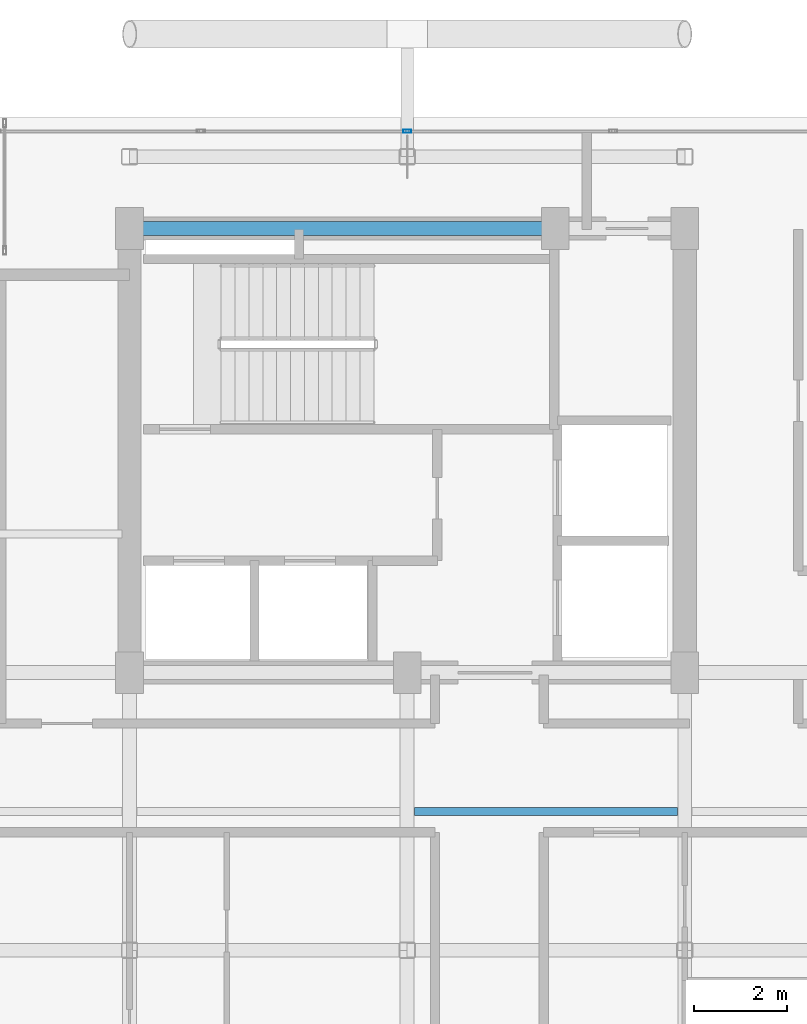
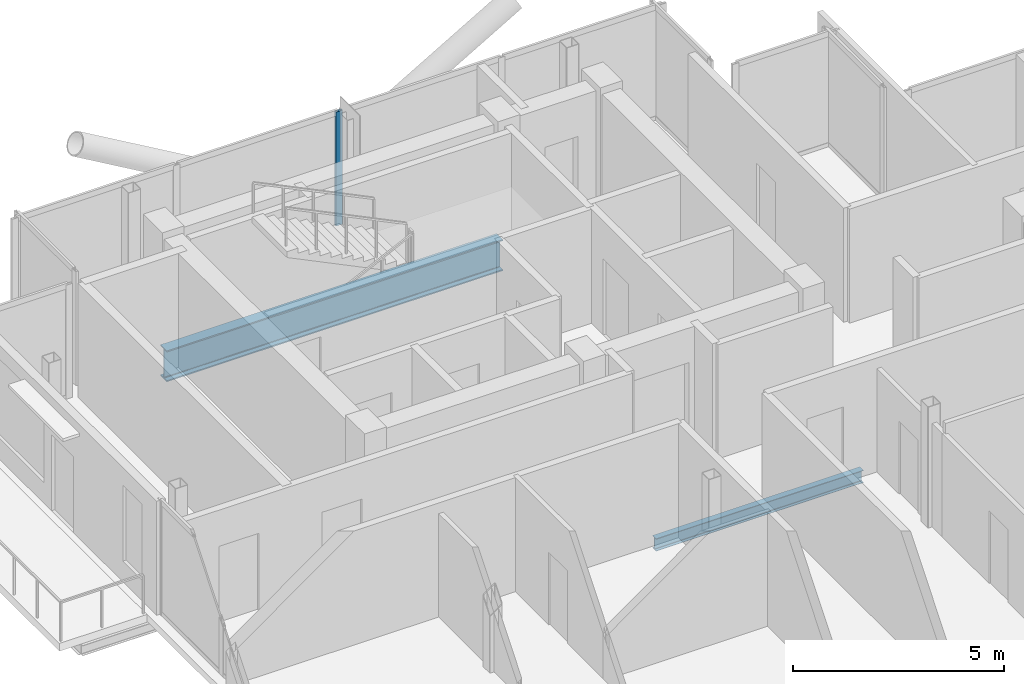
# One storey, part 8 of 18: 2 beams, 1 member, 1 element without a shape of its own.
"""IFC4 building model written with IfcOpenShell, lengths in metres."""

import ifcopenshell
import ifcopenshell.guid

model = None  # the IFC model being written
_history = None  # IfcOwnerHistory: only IFC2X3 demands one
_inside = {}  # id of a spatial element -> (the spatial element, [elements in it])
_under = {}  # id of a project, library or spatial element -> (it, [spatial elements below it])
_declared = {}  # id of a project -> (the project, [libraries it declares])
_typed = {}  # id of a type object -> (the type object, [elements of that type])
_made_of = {}  # id of a material, layer set ... -> (it, [elements and type objects made of it])


def new_model(schema):
    """Start an empty IFC model of exactly this schema.

    Asked for "IFC4X3", IfcOpenShell would pick the latest addendum, in which some entities
    have other attributes; the version numbers below select the first issue.
    IFC2X3 requires an IfcOwnerHistory on every rooted entity: one is made here for all.
    """
    global model, _history
    if schema == "IFC4X3":
        model = ifcopenshell.file(schema_version=(4, 3, 0, 0))
    else:
        model = ifcopenshell.file(schema=schema)
    _inside.clear()
    _under.clear()
    _declared.clear()
    _typed.clear()
    _made_of.clear()
    _history = None
    if model.schema == "IFC2X3":
        org = make("IfcOrganization", Name="unknown")
        user = make(
            "IfcPersonAndOrganization",
            ThePerson=make("IfcPerson", FamilyName="unknown"),
            TheOrganization=org,
        )
        app = make(
            "IfcApplication",
            ApplicationDeveloper=org,
            Version="unknown",
            ApplicationFullName="unknown",
            ApplicationIdentifier="unknown",
        )
        _history = make(
            "IfcOwnerHistory",
            OwningUser=user,
            OwningApplication=app,
            ChangeAction="ADDED",
            CreationDate=0,
        )
    return model


def make(cls, **values):
    """One entity of the class cls with the attributes given. An attribute that is None is left unset."""
    return model.create_entity(
        cls, **{name: value for name, value in values.items() if value is not None}
    )


def rooted(cls, **values):
    """An entity with a GlobalId (a new one), such as an element, a storey or a relation."""
    return make(cls, GlobalId=ifcopenshell.guid.new(), OwnerHistory=_history, **values)


def si_unit(unit_type, name, prefix=None):
    """IfcSIUnit, for example si_unit("LENGTHUNIT", "METRE", prefix="MILLI")."""
    return make("IfcSIUnit", UnitType=unit_type, Prefix=prefix, Name=name)


def assignment(units):
    """IfcUnitAssignment: the units of a project."""
    return None if units is None else make("IfcUnitAssignment", Units=units)


def point(xyz):
    """IfcCartesianPoint."""
    return None if xyz is None else make("IfcCartesianPoint", Coordinates=xyz)


def direction(xyz):
    """IfcDirection."""
    return None if xyz is None else make("IfcDirection", DirectionRatios=xyz)


def frame(location, z_axis=None, x_axis=None):
    """IfcAxis2Placement3D, a coordinate frame: its origin and axes. An axis left out is left unset."""
    return make(
        "IfcAxis2Placement3D",
        Location=point(location),
        Axis=direction(z_axis),
        RefDirection=direction(x_axis),
    )


def frame_2d(location, x_axis=None):
    """IfcAxis2Placement2D, a coordinate frame in the plane: its origin and x axis."""
    return make(
        "IfcAxis2Placement2D", Location=point(location), RefDirection=direction(x_axis)
    )


def origin():
    """The frame at (0, 0, 0) with its axes left unset."""
    return frame((0.0, 0.0, 0.0))


def origin_2d():
    """The frame at (0, 0) in the plane with its x axis left unset."""
    return frame_2d((0.0, 0.0))


def place(relative_to, where):
    """IfcLocalPlacement: puts the frame where relative to a parent placement (None: the world)."""
    return make(
        "IfcLocalPlacement", PlacementRelTo=relative_to, RelativePlacement=where
    )


def context(
    kind, dimensions, precision=None, world=None, true_north=None, identifier=None
):
    """IfcGeometricRepresentationContext, for example the 3D "Model" context."""
    return make(
        "IfcGeometricRepresentationContext",
        ContextIdentifier=identifier,
        ContextType=kind,
        CoordinateSpaceDimension=dimensions,
        Precision=precision,
        WorldCoordinateSystem=world,
        TrueNorth=true_north,
    )


def subcontext(parent, identifier, kind, view, scale=None):
    """IfcGeometricRepresentationSubContext, for example "Body" below "Model"."""
    return make(
        "IfcGeometricRepresentationSubContext",
        ContextIdentifier=identifier,
        ContextType=kind,
        ParentContext=parent,
        TargetScale=scale,
        TargetView=view,
    )


def project(units=None, contexts=None):
    """IfcProject with its units and contexts."""
    return rooted(
        "IfcProject",
        Name="project",
        RepresentationContexts=contexts,
        UnitsInContext=assignment(units),
    )


def spatial(cls, under=None, at=None, **own):
    """A site, building, storey or space (cls), placed at a placement, below another one or the project."""
    s = rooted(cls, ObjectPlacement=at, **own)
    if under is not None:
        _under.setdefault(under.id(), (under, []))[1].append(s)
    return s


def profile(cls, at=None, kind="AREA", **sizes):
    """A parametric profile (cls). Its sizes go by their IFC names, for example OverallWidth=200.0."""
    return make(cls, ProfileType=kind, Position=at, **sizes)


def hollow_rectangle(**sizes):
    """IfcRectangleHollowProfileDef."""
    return profile("IfcRectangleHollowProfileDef", **sizes)


def i_section(**sizes):
    """IfcIShapeProfileDef."""
    return profile("IfcIShapeProfileDef", **sizes)


def extrude(swept, where, along, depth):
    """IfcExtrudedAreaSolid: the profile swept, set in the frame where, extruded along a direction by depth."""
    return make(
        "IfcExtrudedAreaSolid",
        SweptArea=swept,
        Position=where,
        ExtrudedDirection=direction(along),
        Depth=depth,
    )


def shape(context_of_items, identifier, shape_type, items):
    """IfcShapeRepresentation: the items that make up one representation, for example the "Body"."""
    return make(
        "IfcShapeRepresentation",
        ContextOfItems=context_of_items,
        RepresentationIdentifier=identifier,
        RepresentationType=shape_type,
        Items=items,
    )


def material(Name=None, Category=None):
    """IfcMaterial."""
    return make("IfcMaterial", Name=Name, Category=Category)


def layer(
    of_material, thickness, ventilated=None, Name=None, Category=None, Priority=None
):
    """IfcMaterialLayer: one layer of a wall or slab, of a material (None: an air gap)."""
    return make(
        "IfcMaterialLayer",
        Material=of_material,
        LayerThickness=thickness,
        IsVentilated=ventilated,
        Name=Name,
        Category=Category,
        Priority=Priority,
    )


def layer_set(layers, Name=None):
    """IfcMaterialLayerSet."""
    return make("IfcMaterialLayerSet", MaterialLayers=layers, LayerSetName=Name)


def material_profile(
    of_material, cross_section, Name=None, Category=None, Priority=None
):
    """IfcMaterialProfile: a cross section and its material."""
    return make(
        "IfcMaterialProfile",
        Name=Name,
        Material=of_material,
        Profile=cross_section,
        Priority=Priority,
        Category=Category,
    )


def profile_set(profiles, Name=None, composite=None):
    """IfcMaterialProfileSet."""
    return make(
        "IfcMaterialProfileSet",
        Name=Name,
        MaterialProfiles=profiles,
        CompositeProfile=composite,
    )


def made_of(thing, what):
    """Note that an element or type object is made of a material, layer set ...; save() writes the relation."""
    if what is not None:
        _made_of.setdefault(what.id(), (what, []))[1].append(thing)
    return thing


def type_object(cls, material=None, **own):
    """A type object (cls), such as IfcWallType, which elements share."""
    return made_of(rooted(cls, **own), material)


def element(
    cls,
    number,
    at=None,
    inside=None,
    cuts=None,
    type_object=None,
    material=None,
    context=None,
    identifier="Body",
    shape_type=None,
    held_by="IfcProductDefinitionShape",
    body=None,
    shapes=None,
    **own,
):
    """One element of the class cls, such as IfcWall. Its Tag is "e" and its number.

    at: its placement. inside: the storey or other place that contains it. cuts: it is an
    opening in that element (IfcRelVoidsElement). A single representation is given by context,
    identifier, shape_type and body (its items); several are given by shapes. held_by: the class
    of the entity that holds the representations. save() writes the other relations.
    """
    e = rooted(cls, Tag="e%d" % number, ObjectPlacement=at, **own)
    if body is not None:
        shapes = [shape(context, identifier, shape_type, body)]
    if shapes is not None:
        e.Representation = make(held_by, Representations=shapes)
    if inside is not None:
        _inside.setdefault(inside.id(), (inside, []))[1].append(e)
    if cuts is not None:
        rooted(
            "IfcRelVoidsElement", RelatingBuildingElement=cuts, RelatedOpeningElement=e
        )
    if type_object is not None:
        _typed.setdefault(type_object.id(), (type_object, []))[1].append(e)
    return made_of(e, material)


def aggregate(whole, parts):
    """IfcRelAggregates: a whole, such as a stair, and the parts it consists of."""
    return rooted("IfcRelAggregates", RelatingObject=whole, RelatedObjects=parts)


def save(model, path):
    """Write the relations noted so far, then the file.

    IfcRelAggregates (storeys below a building ...), IfcRelContainedInSpatialStructure (elements
    in a storey), IfcRelDefinesByType, IfcRelAssociatesMaterial and IfcRelDeclares: one each for
    every whole, place, type object, material and project.
    """
    for whole, parts in _under.values():
        aggregate(whole, parts)
    for where, things in _inside.values():
        rooted(
            "IfcRelContainedInSpatialStructure",
            RelatedElements=things,
            RelatingStructure=where,
        )
    for kind, things in _typed.values():
        rooted("IfcRelDefinesByType", RelatedObjects=things, RelatingType=kind)
    for what, things in _made_of.values():
        rooted("IfcRelAssociatesMaterial", RelatedObjects=things, RelatingMaterial=what)
    for by, libraries in _declared.values():
        rooted("IfcRelDeclares", RelatingContext=by, RelatedDefinitions=libraries)
    model.write(path)


model = new_model("IFC4")

# Units and contexts
model_context = context("Model", 3, precision=1e-05, world=origin(), true_north=direction((0.0, 1.0)))
body_context = subcontext(model_context, "Body", "Model", "MODEL_VIEW")
ifc_project = project(units=[si_unit("LENGTHUNIT", "METRE"), si_unit("AREAUNIT", "SQUARE_METRE"), si_unit("VOLUMEUNIT", "CUBIC_METRE"), si_unit("PLANEANGLEUNIT", "RADIAN"), si_unit("MASSUNIT", "GRAM", prefix="KILO"), si_unit("THERMODYNAMICTEMPERATUREUNIT", "KELVIN"), si_unit("POWERUNIT", "WATT")], contexts=[model_context])

# Site, building, storey
site_placement = place(None, origin())
site = spatial("IfcSite", under=ifc_project, at=site_placement, CompositionType="ELEMENT")
building_placement = place(site_placement, origin())
building = spatial("IfcBuilding", under=site, at=building_placement, Name="Svarakhadi Broadcast Tower", CompositionType="ELEMENT")
storey_placement = place(building_placement, frame((0.0, 0.0, 246.699951171875)))
storey = spatial("IfcBuildingStorey", under=building, at=storey_placement, Name="L61", CompositionType="ELEMENT", Elevation=246.699951171875)

# Beam
ifc_material_1 = material(Name="Steel S355J2 (IS 2062 E350C)", Category="steel")
ifc_material_profile_1 = material_profile(ifc_material_1, i_section(OverallWidth=0.169921875, OverallDepth=0.360107421875, WebThickness=0.008056640625, FlangeThickness=0.0126953125, FilletRadius=0.01806640625, at=origin_2d()), Name="NPB 360x170x57")
ifc_profile_set_1 = profile_set([ifc_material_profile_1], Name="Steel S355J2 (IS 2062 E350C)")
beam_type_1 = type_object("IfcBeamType", Name="Beam_NPB360", PredefinedType="BEAM", material=ifc_profile_set_1)
beam_1_placement = place(storey_placement, frame((12.159912109375, 15.0, -0.3798828125), z_axis=(1.0, 0.0, 0.0), x_axis=(0.0, 1.0, 0.0)))
element("IfcBeam", 1, at=beam_1_placement, inside=storey, type_object=beam_type_1, Name="L61 Secondary Composite Beam SB009", PredefinedType="BEAM", context=body_context, shape_type="SweptSolid", body=[
    extrude(i_section(OverallWidth=0.169921875, OverallDepth=0.360107421875, WebThickness=0.008056640625, FlangeThickness=0.0126953125, FilletRadius=0.01806640625, at=origin_2d()), origin(), (0.0, 0.0, 1.0), 5.68017578125),
])

# Curtain wall, member
ifc_material_2 = material(Name="Anodised Bronze Aluminium AA 6063-T6", Category="aluminium")
ifc_layer = layer(ifc_material_2, 0.179931640625)
ifc_layer_set = layer_set([ifc_layer], Name="Anodised Bronze Aluminium AA 6063-T6")
curtain_wall_type = type_object("IfcCurtainWallType", Name="CW_Sys_05", PredefinedType="NOTDEFINED", material=ifc_layer_set)
curtain_wall_placement = place(storey_placement, origin())
curtain_wall = element("IfcCurtainWall", 2, at=curtain_wall_placement, inside=storey, type_object=curtain_wall_type, Name="L61 Unitised Facade Curtain Wall 05", PredefinedType="NOTDEFINED")
ifc_material_profile_2 = material_profile(ifc_material_2, hollow_rectangle(XDim=0.070068359375, YDim=0.179931640625, WallThickness=0.005615234375, at=origin_2d()), Name="ALU MULLION 180x70x6")
ifc_profile_set_2 = profile_set([ifc_material_profile_2], Name="Anodised Bronze Aluminium AA 6063-T6")
member_type = type_object("IfcMemberType", Name="CW_Sys_05_Mul", PredefinedType="MULLION", material=ifc_profile_set_2)
member_placement = place(storey_placement, frame((12.0, 29.699951171875, 0.0), z_axis=(0.0, 0.0, 1.0), x_axis=(0.0, 1.0, 0.0)))
member = element("IfcMember", 3, at=member_placement, type_object=member_type, Name="CW-05 mullion 3", PredefinedType="MULLION", context=body_context, shape_type="SweptSolid", body=[
    extrude(hollow_rectangle(XDim=0.070068359375, YDim=0.179931640625, WallThickness=0.005615234375, at=origin_2d()), origin(), (0.0, 0.0, 1.0), 3.300048828125),
])
aggregate(curtain_wall, [member])

# Beam
ifc_material_3 = material(Name="Steel S460ML (IS 2062 E450BR)", Category="steel")
ifc_material_profile_3 = material_profile(ifc_material_3, i_section(OverallWidth=0.300048828125, OverallDepth=0.89990234375, WebThickness=0.0185546875, FlangeThickness=0.034912109375, FilletRadius=0.030029296875, at=origin_2d()), Name="WPB 900x300x291")
ifc_profile_set_3 = profile_set([ifc_material_profile_3], Name="Steel S460ML (IS 2062 E450BR)")
beam_type_2 = type_object("IfcBeamType", Name="Girder_WPB900", PredefinedType="USERDEFINED", material=ifc_profile_set_3)
beam_2_placement = place(storey_placement, frame((6.0, 27.60009765625, -0.64990234375), z_axis=(1.0, 0.0, 0.0), x_axis=(0.0, 1.0, 0.0)))
element("IfcBeam", 4, at=beam_2_placement, inside=storey, type_object=beam_type_2, Name="L61 Primary E-W Girder G022", ObjectType="GIRDER", PredefinedType="USERDEFINED", context=body_context, shape_type="SweptSolid", body=[
    extrude(i_section(OverallWidth=0.300048828125, OverallDepth=0.89990234375, WebThickness=0.0185546875, FlangeThickness=0.034912109375, FilletRadius=0.030029296875, at=origin_2d()), origin(), (0.0, 0.0, 1.0), 9.199951171875),
])

save(model, "model.ifc")
